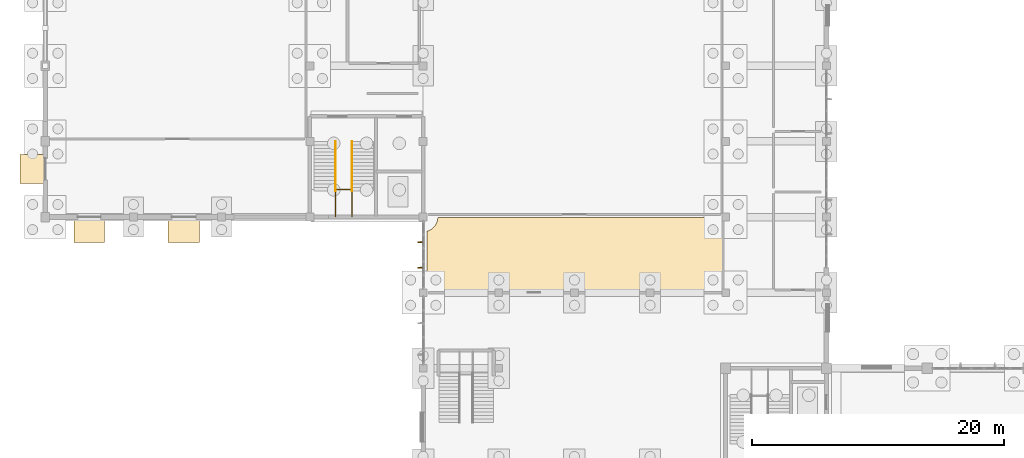
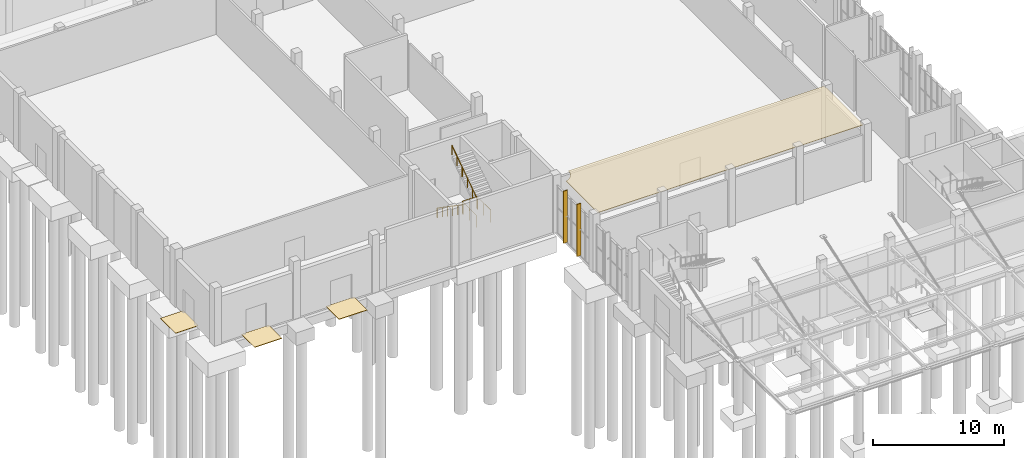
# One storey, part 60 of 69: 4 coverings, 3 railings, 2 shading devices.
"""IFC4 building model written with IfcOpenShell, lengths in metres."""

from ifc_helpers import new_model, si_unit, direction, frame, origin, origin_2d, place, context, subcontext, project, spatial, polyline, rectangle, circle, outline, extrude, material, layer, layer_set, type_object, element, save


model = new_model("IFC4")

# Units and contexts
model_context = context("Model", 3, precision=1e-05, world=origin(), true_north=direction((0.0, 1.0)))
body_context = subcontext(model_context, "Body", "Model", "MODEL_VIEW")
ifc_project = project(units=[si_unit("LENGTHUNIT", "METRE"), si_unit("AREAUNIT", "SQUARE_METRE"), si_unit("VOLUMEUNIT", "CUBIC_METRE"), si_unit("PLANEANGLEUNIT", "RADIAN"), si_unit("MASSUNIT", "GRAM", prefix="KILO")], contexts=[model_context])

# Site, building, storey
site_placement = place(None, origin())
site = spatial("IfcSite", under=ifc_project, at=site_placement, CompositionType="ELEMENT")
building_placement = place(site_placement, origin())
building = spatial("IfcBuilding", under=site, at=building_placement, Name="Solvane Community Centre", CompositionType="ELEMENT")
storey_placement = place(building_placement, origin())
storey = spatial("IfcBuildingStorey", under=building, at=storey_placement, Name="L00", CompositionType="ELEMENT", Elevation=0.0)

# Covering
ifc_material_1 = material(Name="Acoustic timber slat ceiling", Category="wood")
ifc_layer_1 = layer(ifc_material_1, 0.0400390625)
ifc_layer_set_1 = layer_set([ifc_layer_1], Name="Acoustic timber slat ceiling")
covering_type_1 = type_object("IfcCoveringType", Name="Acoustic Timber Slat Suspended Ceiling", PredefinedType="CEILING", material=ifc_layer_set_1)
covering_1_placement = place(storey_placement, frame((0.0, 0.0, 5.135009765625)))
element("IfcCovering", 1, at=covering_1_placement, inside=storey, type_object=covering_type_1, Name="Acoustic Ceiling L00-13", PredefinedType="CEILING", context=body_context, shape_type="SweptSolid", body=[
    extrude(outline(polyline([(59.780029296875, 41.97998046875), (59.780029296875, 36.02001953125), (36.320068359375, 36.02001953125), (36.320068359375, 40.885986328125), (36.38330078125, 40.9052734375), (36.398193359375, 40.91064453125), (36.48876953125, 40.9482421875), (36.5029296875, 40.954833984375), (36.589599609375, 41.001220703125), (36.60302734375, 41.00927734375), (36.6845703125, 41.063720703125), (36.697265625, 41.072998046875), (36.773193359375, 41.135498046875), (36.78466796875, 41.14599609375), (36.85400390625, 41.21533203125), (36.864501953125, 41.226806640625), (36.927001953125, 41.302734375), (36.936279296875, 41.3154296875), (36.99072265625, 41.39697265625), (36.998779296875, 41.410400390625), (37.045166015625, 41.4970703125), (37.0517578125, 41.51123046875), (37.08935546875, 41.601806640625), (37.0947265625, 41.61669921875), (37.123046875, 41.710693359375), (37.126953125, 41.725830078125), (37.14599609375, 41.822021484375), (37.1484375, 41.837646484375), (37.157958984375, 41.935302734375), (37.15869140625, 41.950927734375), (37.159423828125, 41.97998046875), (59.780029296875, 41.97998046875)])), origin(), (0.0, 0.0, 1.0), 0.0400390625),
])

# Shading devices
ifc_material_2 = material(Name="Anodised bronze aluminium AW-6063 T6", Category="aluminium")
shading_device_type = type_object("IfcShadingDeviceType", Name="Art Deco Bronze Solar Fin 80x360", PredefinedType="USERDEFINED", material=ifc_material_2)
shading_device_1_placement = place(storey_placement, frame((35.760009765625, 37.97998046875, 0.14990234375), z_axis=(0.0, 0.0, 1.0), x_axis=(0.0, 1.0, 0.0)))
element("IfcShadingDevice", 2, at=shading_device_1_placement, inside=storey, type_object=shading_device_type, Name="Solar Brise-Soleil Fin 5", ObjectType="Solar Brise-Soleil Fin 5", PredefinedType="USERDEFINED", context=body_context, shape_type="SweptSolid", body=[
    extrude(rectangle(XDim=0.080078125, YDim=0.360107421875, at=origin_2d()), origin(), (0.0, 0.0, 1.0), 4.860107421875),
])
shading_device_2_placement = place(storey_placement, frame((35.760009765625, 40.02001953125, 0.14990234375), z_axis=(0.0, 0.0, 1.0), x_axis=(0.0, 1.0, 0.0)))
element("IfcShadingDevice", 3, at=shading_device_2_placement, inside=storey, type_object=shading_device_type, Name="Solar Brise-Soleil Fin 6", ObjectType="Solar Brise-Soleil Fin 6", PredefinedType="USERDEFINED", context=body_context, shape_type="SweptSolid", body=[
    extrude(rectangle(XDim=0.080078125, YDim=0.360107421875, at=origin_2d()), origin(), (0.0, 0.0, 1.0), 4.860107421875),
])

# Railings
railing_type_1 = type_object("IfcRailingType", Name="Interior Gallery & Stair Well Guard 1150mm", PredefinedType="BALUSTRADE", material=ifc_material_2)
railing_1_placement = place(storey_placement, frame((29.050048828125, 42.06005859375, 2.699951171875)))
element("IfcRailing", 4, at=railing_1_placement, inside=storey, type_object=railing_type_1, Name="Railing GR-L00-079", PredefinedType="BALUSTRADE", context=body_context, shape_type="SweptSolid", body=[
    extrude(circle(Radius=0.02392578125, at=origin_2d()), frame((0.0, 0.0, 1.1259765625), z_axis=(0.0, 1.0, 0.0), x_axis=(-1.0, 0.0, 0.0)), (0.0, 0.0, 1.0), 2.119873046875),
    extrude(circle(Radius=0.02392578125, at=origin_2d()), frame((0.0, 2.119873046875, 1.1259765625), z_axis=(1.0, 0.0, 0.0), x_axis=(0.0, 1.0, 0.0)), (0.0, 0.0, 1.0), 1.300048828125),
    extrude(circle(Radius=0.02392578125, at=origin_2d()), frame((1.300048828125, 2.119873046875, 1.1259765625), z_axis=(0.0, -1.0, 0.0), x_axis=(1.0, 0.0, 0.0)), (0.0, 0.0, 1.0), 2.119873046875),
    extrude(circle(Radius=0.02099609375, at=origin_2d()), origin(), (0.0, 0.0, 1.0), 1.101806640625),
    extrude(circle(Radius=0.02099609375, at=origin_2d()), frame((0.0, 1.06005859375, 0.0)), (0.0, 0.0, 1.0), 1.101806640625),
    extrude(circle(Radius=0.02099609375, at=origin_2d()), frame((0.0, 2.119873046875, 0.0)), (0.0, 0.0, 1.0), 1.101806640625),
    extrude(circle(Radius=0.02099609375, at=origin_2d()), frame((0.64990234375, 2.119873046875, 0.0)), (0.0, 0.0, 1.0), 1.101806640625),
    extrude(circle(Radius=0.02099609375, at=origin_2d()), frame((1.300048828125, 2.119873046875, 0.0)), (0.0, 0.0, 1.0), 1.101806640625),
    extrude(circle(Radius=0.02099609375, at=origin_2d()), frame((1.300048828125, 1.06005859375, 0.0)), (0.0, 0.0, 1.0), 1.101806640625),
    extrude(circle(Radius=0.02099609375, at=origin_2d()), frame((1.300048828125, 0.0, 0.0)), (0.0, 0.0, 1.0), 1.101806640625),
])
railing_type_2 = type_object("IfcRailingType", Name="Stair Pitch Handrail 900mm", PredefinedType="HANDRAIL", material=ifc_material_2)
railing_2_placement = place(storey_placement, frame((29.050048828125, 48.0, 0.0)))
element("IfcRailing", 5, at=railing_2_placement, inside=storey, type_object=railing_type_2, Name="Railing HR-L00-077", PredefinedType="HANDRAIL", context=body_context, shape_type="SweptSolid", body=[
    extrude(circle(Radius=0.02392578125, at=origin_2d()), frame((0.0, 0.0, 0.8759765625), z_axis=(0.0, -0.823550731654, 0.567242622158), x_axis=(1.0, 0.0, 0.0)), (0.0, 0.0, 1.0), 4.759765625),
    extrude(circle(Radius=0.02099609375, at=origin_2d()), origin(), (0.0, 0.0, 1.0), 0.851806640625),
    extrude(circle(Radius=0.02099609375, at=origin_2d()), frame((0.0, -0.783935546875, 0.5400390625)), (0.0, 0.0, 1.0), 0.851806640625),
    extrude(circle(Radius=0.02099609375, at=origin_2d()), frame((0.0, -1.56787109375, 1.080078125)), (0.0, 0.0, 1.0), 0.851806640625),
    extrude(circle(Radius=0.02099609375, at=origin_2d()), frame((0.0, -2.35205078125, 1.619873046875)), (0.0, 0.0, 1.0), 0.851806640625),
    extrude(circle(Radius=0.02099609375, at=origin_2d()), frame((0.0, -3.135986328125, 2.159912109375)), (0.0, 0.0, 1.0), 0.851806640625),
    extrude(circle(Radius=0.02099609375, at=origin_2d()), frame((0.0, -3.919921875, 2.699951171875)), (0.0, 0.0, 1.0), 0.851806640625),
])
railing_3_placement = place(storey_placement, frame((30.35009765625, 44.080078125, 2.699951171875)))
element("IfcRailing", 6, at=railing_3_placement, inside=storey, type_object=railing_type_2, Name="Railing HR-L00-078", PredefinedType="HANDRAIL", context=body_context, shape_type="SweptSolid", body=[
    extrude(circle(Radius=0.02392578125, at=origin_2d()), frame((0.0, 0.0, 0.8759765625), z_axis=(0.0, 0.823550731654, 0.567242622158), x_axis=(-1.0, 0.0, 0.0)), (0.0, 0.0, 1.0), 4.759765625),
    extrude(circle(Radius=0.02099609375, at=origin_2d()), origin(), (0.0, 0.0, 1.0), 0.851806640625),
    extrude(circle(Radius=0.02099609375, at=origin_2d()), frame((0.0, 0.783935546875, 0.5400390625)), (0.0, 0.0, 1.0), 0.851806640625),
    extrude(circle(Radius=0.02099609375, at=origin_2d()), frame((0.0, 1.56787109375, 1.080078125)), (0.0, 0.0, 1.0), 0.851806640625),
    extrude(circle(Radius=0.02099609375, at=origin_2d()), frame((0.0, 2.35205078125, 1.619873046875)), (0.0, 0.0, 1.0), 0.851806640625),
    extrude(circle(Radius=0.02099609375, at=origin_2d()), frame((0.0, 3.135986328125, 2.159912109375)), (0.0, 0.0, 1.0), 0.851806640625),
    extrude(circle(Radius=0.02099609375, at=origin_2d()), frame((0.0, 3.919921875, 2.699951171875)), (0.0, 0.0, 1.0), 0.851806640625),
])

# Coverings
ifc_material_3 = material(Name="Precast concrete C35/45", Category="concrete")
ifc_layer_2 = layer(ifc_material_3, 0.0400390625)
ifc_layer_set_2 = layer_set([ifc_layer_2], Name="Precast concrete C35/45")
covering_type_2 = type_object("IfcCoveringType", Name="Stone Entrance Threshold Apron", PredefinedType="FLOORING", material=ifc_layer_set_2)
covering_2_placement = place(storey_placement, frame((0.0, 0.0, -0.0400390625)))
element("IfcCovering", 7, at=covering_2_placement, inside=storey, type_object=covering_type_2, Name="Entrance Threshold Apron L00-ED09", PredefinedType="FLOORING", context=body_context, shape_type="SweptSolid", body=[
    extrude(outline(polyline([(18.25, 42.0), (15.75, 42.0), (15.75, 40.0), (18.25, 40.0), (18.25, 42.0)])), origin(), (0.0, 0.0, 1.0), 0.0400390625),
])
covering_3_placement = place(storey_placement, frame((0.0, 0.0, -0.0400390625)))
element("IfcCovering", 8, at=covering_3_placement, inside=storey, type_object=covering_type_2, Name="Entrance Threshold Apron L00-ED10", PredefinedType="FLOORING", context=body_context, shape_type="SweptSolid", body=[
    extrude(outline(polyline([(10.699951171875, 42.0), (8.300048828125, 42.0), (8.300048828125, 40.0), (10.699951171875, 40.0), (10.699951171875, 42.0)])), origin(), (0.0, 0.0, 1.0), 0.0400390625),
])
covering_4_placement = place(storey_placement, frame((0.0, 0.0, -0.0400390625)))
element("IfcCovering", 9, at=covering_4_placement, inside=storey, type_object=covering_type_2, Name="Entrance Threshold Apron L00-ED11", PredefinedType="FLOORING", context=body_context, shape_type="SweptSolid", body=[
    extrude(outline(polyline([(6.0, 44.64990234375), (6.0, 46.949951171875), (4.0, 46.949951171875), (4.0, 44.64990234375), (6.0, 44.64990234375)])), origin(), (0.0, 0.0, 1.0), 0.0400390625),
])

save(model, "model.ifc")
